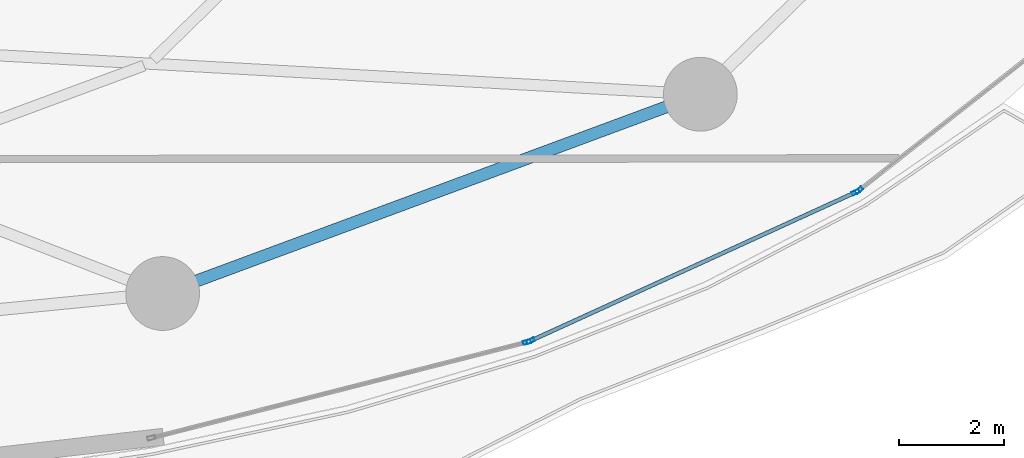
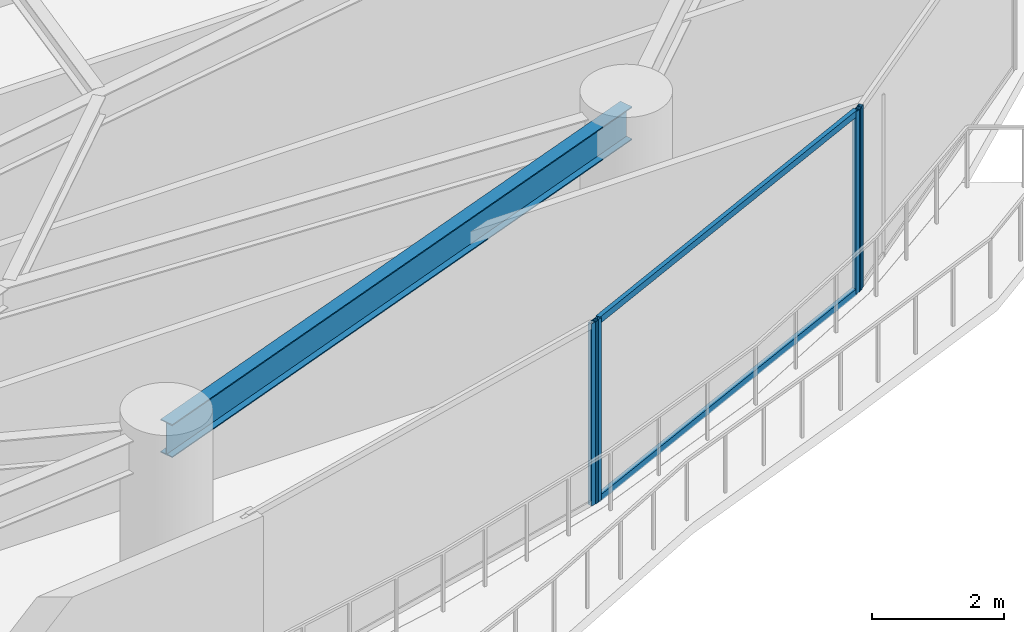
# One storey, part 13 of 31: 6 members, 1 beam, 3 elements without a shape of their own.
"""IFC4 building model written with IfcOpenShell, lengths in metres."""

from ifc_helpers import new_model, si_unit, direction, frame, origin, origin_2d, place, context, subcontext, project, spatial, hollow_rectangle, i_section, extrude, material, layer, layer_set, material_profile, profile_set, type_object, element, aggregate, save


model = new_model("IFC4")

# Units and contexts
model_context = context("Model", 3, precision=1e-05, world=origin(), true_north=direction((0.0, 1.0)))
body_context = subcontext(model_context, "Body", "Model", "MODEL_VIEW")
ifc_project = project(units=[si_unit("LENGTHUNIT", "METRE"), si_unit("AREAUNIT", "SQUARE_METRE"), si_unit("VOLUMEUNIT", "CUBIC_METRE"), si_unit("PLANEANGLEUNIT", "RADIAN"), si_unit("MASSUNIT", "GRAM", prefix="KILO")], contexts=[model_context])

# Site, building, storey
site_placement = place(None, origin())
site = spatial("IfcSite", under=ifc_project, at=site_placement, CompositionType="ELEMENT")
building_placement = place(site_placement, origin())
building = spatial("IfcBuilding", under=site, at=building_placement, Name="Kazevale Care Tower and Concert Hall", CompositionType="ELEMENT")
storey_placement = place(building_placement, frame((0.0, 0.0, 63.60009765625)))
storey = spatial("IfcBuildingStorey", under=building, at=storey_placement, Name="L16", CompositionType="ELEMENT", Elevation=63.60009765625)

# Curtain wall, member
ifc_material_1 = material(Name="Aluminium 6063-T6 and Low-E Glass", Category="aluminium")
ifc_layer = layer(ifc_material_1, 0.179931640625)
ifc_layer_set = layer_set([ifc_layer], Name="Aluminium 6063-T6 and Low-E Glass")
curtain_wall_type = type_object("IfcCurtainWallType", Name="Sheltered Concave Balcony Curtain Wall CW-5", PredefinedType="NOTDEFINED", material=ifc_layer_set)
curtain_wall_1_placement = place(storey_placement, origin())
curtain_wall_1 = element("IfcCurtainWall", 1, at=curtain_wall_1_placement, inside=storey, type_object=curtain_wall_type, Name="cw:L16:f02", PredefinedType="NOTDEFINED")
ifc_material_2 = material(Name="Aluminium 6063-T6", Category="aluminium")
ifc_material_profile_1 = material_profile(ifc_material_2, hollow_rectangle(XDim=0.074951171875, YDim=0.14990234375, WallThickness=0.00390625, at=origin_2d()), Name="ALU75x150x4")
ifc_profile_set_1 = profile_set([ifc_material_profile_1], Name="Aluminium 6063-T6")
member_type_1 = type_object("IfcMemberType", Name="CW-5 Mullion ALU75x150x4", PredefinedType="MULLION", material=ifc_profile_set_1)
member_1_placement = place(storey_placement, frame((70.25146484375, 20.490234375, 0.0), z_axis=(0.0, 0.0, 1.0), x_axis=(0.617807548814, -0.78632934107, 0.0)))
member_1 = element("IfcMember", 2, at=member_1_placement, type_object=member_type_1, Name="CW-5 mullion 2", PredefinedType="MULLION", context=body_context, shape_type="SweptSolid", body=[
    extrude(hollow_rectangle(XDim=0.074951171875, YDim=0.14990234375, WallThickness=0.00390625, at=origin_2d()), origin(), (0.0, 0.0, 1.0), 3.35986328125),
])
aggregate(curtain_wall_1, [member_1])

# Curtain wall, members
curtain_wall_2_placement = place(storey_placement, origin())
curtain_wall_2 = element("IfcCurtainWall", 3, at=curtain_wall_2_placement, inside=storey, type_object=curtain_wall_type, Name="cw:L16:f03", PredefinedType="NOTDEFINED")
member_2_placement = place(storey_placement, frame((70.18798828125, 20.451416015625, 0.0), z_axis=(0.0, 0.0, 1.0), x_axis=(0.415659767773, -0.909520179795, 0.0)))
member_2 = element("IfcMember", 4, at=member_2_placement, type_object=member_type_1, Name="CW-5 mullion 1", PredefinedType="MULLION", context=body_context, shape_type="SweptSolid", body=[
    extrude(hollow_rectangle(XDim=0.074951171875, YDim=0.14990234375, WallThickness=0.00390625, at=origin_2d()), origin(), (0.0, 0.0, 1.0), 3.35986328125),
])
member_3_placement = place(storey_placement, frame((64.022216796875, 17.633544921875, 0.0), z_axis=(0.0, 0.0, 1.0), x_axis=(0.415659767773, -0.909520179795, 0.0)))
member_3 = element("IfcMember", 5, at=member_3_placement, type_object=member_type_1, Name="CW-5 mullion 2", PredefinedType="MULLION", context=body_context, shape_type="SweptSolid", body=[
    extrude(hollow_rectangle(XDim=0.074951171875, YDim=0.14990234375, WallThickness=0.00390625, at=origin_2d()), origin(), (0.0, 0.0, 1.0), 3.35986328125),
])

# Curtain wall, member
curtain_wall_3_placement = place(storey_placement, origin())
curtain_wall_3 = element("IfcCurtainWall", 6, at=curtain_wall_3_placement, inside=storey, type_object=curtain_wall_type, Name="cw:L16:f04", PredefinedType="NOTDEFINED")
member_4_placement = place(storey_placement, frame((63.95166015625, 17.608642578125, 0.0), z_axis=(0.0, 0.0, 1.0), x_axis=(0.247221864936, -0.968958899798, 0.0)))
member_4 = element("IfcMember", 7, at=member_4_placement, type_object=member_type_1, Name="CW-5 mullion 1", PredefinedType="MULLION", context=body_context, shape_type="SweptSolid", body=[
    extrude(hollow_rectangle(XDim=0.074951171875, YDim=0.14990234375, WallThickness=0.00390625, at=origin_2d()), origin(), (0.0, 0.0, 1.0), 3.35986328125),
])
aggregate(curtain_wall_3, [member_4])

# Member
ifc_material_profile_2 = material_profile(ifc_material_2, hollow_rectangle(XDim=0.074951171875, YDim=0.1201171875, WallThickness=0.00390625, at=origin_2d()), Name="ALU75x120x4")
ifc_profile_set_2 = profile_set([ifc_material_profile_2], Name="Aluminium 6063-T6")
member_type_2 = type_object("IfcMemberType", Name="CW-5 Transom ALU75x120x4", PredefinedType="USERDEFINED", material=ifc_profile_set_2)
member_5_placement = place(storey_placement, frame((70.15380859375, 20.435791015625, 0.037353515625), z_axis=(-0.909524040017, -0.415651320978, 0.0), x_axis=(0.415651320978, -0.909524040017, 0.0)))
member_5 = element("IfcMember", 8, at=member_5_placement, type_object=member_type_2, Name="CW-5 transom 1.1", ObjectType="TRANSOM", PredefinedType="USERDEFINED", context=body_context, shape_type="SweptSolid", body=[
    extrude(hollow_rectangle(XDim=0.074951171875, YDim=0.1201171875, WallThickness=0.00390625, at=origin_2d()), origin(), (0.0, 0.0, 1.0), 6.704345703125),
])

member_6_placement = place(storey_placement, frame((70.15380859375, 20.435791015625, 3.322509765625), z_axis=(-0.909524040017, -0.415651320978, 0.0), x_axis=(0.415651320978, -0.909524040017, 0.0)))
member_6 = element("IfcMember", 9, at=member_6_placement, type_object=member_type_2, Name="CW-5 transom 1.2", ObjectType="TRANSOM", PredefinedType="USERDEFINED", context=body_context, shape_type="SweptSolid", body=[
    extrude(hollow_rectangle(XDim=0.074951171875, YDim=0.1201171875, WallThickness=0.00390625, at=origin_2d()), origin(), (0.0, 0.0, 1.0), 6.704345703125),
])

aggregate(curtain_wall_2, [member_2, member_3, member_5, member_6])

# Beam
ifc_material_3 = material(Name="Steel ASTM A572 Gr 50", Category="steel")
ifc_material_profile_3 = material_profile(ifc_material_3, i_section(OverallWidth=0.22900390625, OverallDepth=0.612060546875, WebThickness=0.011962890625, FlangeThickness=0.01953125, at=origin_2d()), Name="W610x125")
ifc_profile_set_3 = profile_set([ifc_material_profile_3], Name="Steel ASTM A572 Gr 50")
beam_type = type_object("IfcBeamType", Name="Ring Spandrel Beam W610x125", PredefinedType="SPANDREL", material=ifc_profile_set_3)
beam_placement = place(storey_placement, frame((57.0400390625, 18.530029296875, 3.053955078125), z_axis=(0.937680788596, 0.347497825458, 0.0), x_axis=(-0.347497825458, 0.937680788596, 0.0)))
element("IfcBeam", 10, at=beam_placement, inside=storey, type_object=beam_type, Name="beam:L16:ring:14", PredefinedType="SPANDREL", context=body_context, shape_type="SweptSolid", body=[
    extrude(i_section(OverallWidth=0.22900390625, OverallDepth=0.612060546875, WebThickness=0.011962890625, FlangeThickness=0.01953125, at=origin_2d()), origin(), (0.0, 0.0, 1.0), 10.8779296875),
])

save(model, "model.ifc")
